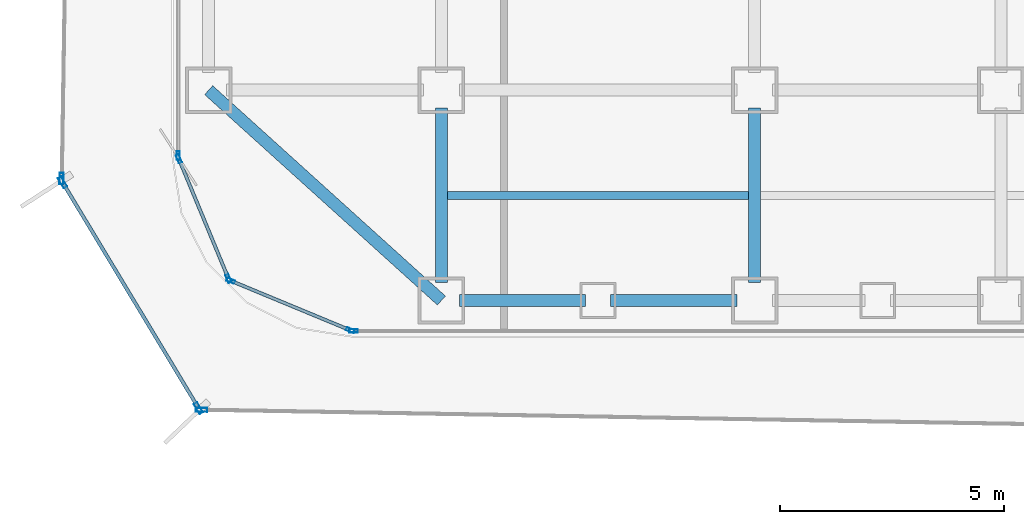
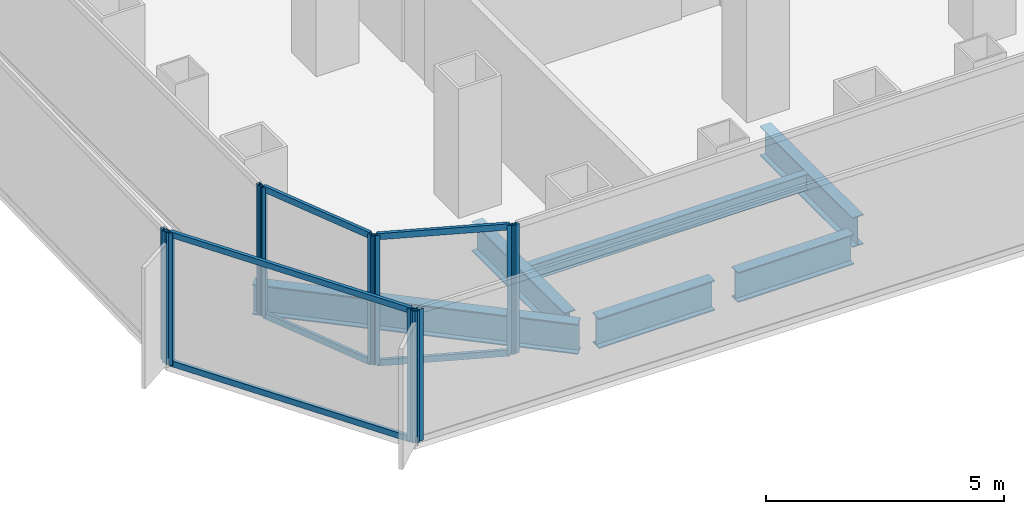
# One storey, part 2 of 21: 16 members, 6 beams, 7 elements without a shape of their own.
"""IFC4 building model written with IfcOpenShell, lengths in metres."""

from ifc_helpers import new_model, si_unit, direction, frame, origin, origin_2d, place, context, subcontext, project, spatial, hollow_rectangle, i_section, extrude, source, transform, mapped, material, layer, layer_set, material_profile, profile_set, type_object, element, aggregate, save


model = new_model("IFC4")

# Units and contexts
model_context = context("Model", 3, precision=1e-05, world=origin(), true_north=direction((0.0, 1.0)))
body_context = subcontext(model_context, "Body", "Model", "MODEL_VIEW")
ifc_project = project(units=[si_unit("LENGTHUNIT", "METRE"), si_unit("AREAUNIT", "SQUARE_METRE"), si_unit("VOLUMEUNIT", "CUBIC_METRE"), si_unit("PLANEANGLEUNIT", "RADIAN"), si_unit("MASSUNIT", "GRAM", prefix="KILO")], contexts=[model_context])

# Site, building, storey
site_placement = place(None, origin())
site = spatial("IfcSite", under=ifc_project, at=site_placement, CompositionType="ELEMENT")
building_placement = place(site_placement, origin())
building = spatial("IfcBuilding", under=site, at=building_placement, Name="Kolveth Station Tower", CompositionType="ELEMENT")
storey_placement = place(building_placement, frame((0.0, 0.0, 36.89990234375)))
storey = spatial("IfcBuildingStorey", under=building, at=storey_placement, Name="L09", CompositionType="ELEMENT", Elevation=36.89990234375)

# Beams
ifc_material_1 = material(Name="Steel S355", Category="steel")
ifc_material_profile_1 = material_profile(ifc_material_1, i_section(OverallWidth=0.26904296875, OverallDepth=0.77490234375, WebThickness=0.01708984375, FlangeThickness=0.0283203125, at=origin_2d()), Name="W760x220")
ifc_profile_set_1 = profile_set([ifc_material_profile_1], Name="Steel S355")
beam_type_1 = type_object("IfcBeamType", Name="Beam_SP1", PredefinedType="SPANDREL", material=ifc_profile_set_1)
shared_shape_1 = source(origin(), body_context, "Body", "SweptSolid", [
    extrude(i_section(OverallWidth=0.26904296875, OverallDepth=0.77490234375, WebThickness=0.01708984375, FlangeThickness=0.0283203125, at=origin_2d()), origin(), (0.0, 0.0, 1.0), 7.00927734375),
])
beam_1_placement = place(storey_placement, frame((0.800048828125, 5.5, -0.66748046875), z_axis=(0.741874009795, -0.670539300557, 0.0), x_axis=(0.670539300557, 0.741874009795, 0.0)))
element("IfcBeam", 1, at=beam_1_placement, inside=storey, type_object=beam_type_1, Name="L09 Corner Edge Girder BM-L09-CNR-SW", PredefinedType="SPANDREL", context=body_context, shape_type="MappedRepresentation", body=[
    mapped(shared_shape_1, transform((0.0, 0.0, 0.0), x_axis=(1.0, 0.0, 0.0), y_axis=(0.0, 1.0, 0.0), z_axis=(0.0, 0.0, 1.0), scale=1.0)),
])
shared_shape_2 = source(origin(), body_context, "Body", "SweptSolid", [
    extrude(i_section(OverallWidth=0.26904296875, OverallDepth=0.77490234375, WebThickness=0.01708984375, FlangeThickness=0.0283203125, at=origin_2d()), origin(), (0.0, 0.0, 1.0), 2.820068359375),
])
for number, where, z_axis, x_axis, name in (
    (2, (6.39990234375, 0.800048828125, -0.66748046875), (1.0, 0.0, 0.0), (0.0, 1.0, 0.0), "L09 Perimeter Spandrel BM-L09-PS-1"),
    (3, (9.780029296875, 0.800048828125, -0.66748046875), (1.0, 0.0, 0.0), (0.0, 1.0, 0.0), "L09 Perimeter Spandrel BM-L09-PS-2"),
):
    element("IfcBeam", number, at=place(storey_placement, frame(where, z_axis=z_axis, x_axis=x_axis)), inside=storey, type_object=beam_type_1, Name=name, PredefinedType="SPANDREL", context=body_context, shape_type="MappedRepresentation", body=[
        mapped(shared_shape_2, transform((0.0, 0.0, 0.0), x_axis=(1.0, 0.0, 0.0), y_axis=(0.0, 1.0, 0.0), z_axis=(0.0, 0.0, 1.0), scale=1.0)),
    ])
ifc_material_profile_2 = material_profile(ifc_material_1, i_section(OverallWidth=0.26708984375, OverallDepth=0.76611328125, WebThickness=0.014892578125, FlangeThickness=0.023681640625, at=origin_2d()), Name="W760x185")
ifc_profile_set_2 = profile_set([ifc_material_profile_2], Name="Steel S355")
beam_type_2 = type_object("IfcBeamType", Name="Beam_B3", PredefinedType="BEAM", material=ifc_profile_set_2)
shared_shape_3 = source(origin(), body_context, "Body", "SweptSolid", [
    extrude(i_section(OverallWidth=0.26708984375, OverallDepth=0.76611328125, WebThickness=0.014892578125, FlangeThickness=0.023681640625, at=origin_2d()), origin(), (0.0, 0.0, 1.0), 3.900146484375),
])
for number, where, z_axis, x_axis, name in (
    (4, (6.0, 1.199951171875, -0.662841796875), (0.0, 1.0, 0.0), (-1.0, 0.0, 0.0), "L09 Primary Girder BM-L09-GX60-1"),
    (5, (13.0, 1.199951171875, -0.662841796875), (0.0, 1.0, 0.0), (-1.0, 0.0, 0.0), "L09 Primary Girder BM-L09-GX130-1"),
):
    element("IfcBeam", number, at=place(storey_placement, frame(where, z_axis=z_axis, x_axis=x_axis)), inside=storey, type_object=beam_type_2, Name=name, PredefinedType="BEAM", context=body_context, shape_type="MappedRepresentation", body=[
        mapped(shared_shape_3, transform((0.0, 0.0, 0.0), x_axis=(1.0, 0.0, 0.0), y_axis=(0.0, 1.0, 0.0), z_axis=(0.0, 0.0, 1.0), scale=1.0)),
    ])
ifc_material_profile_3 = material_profile(ifc_material_1, i_section(OverallWidth=0.177978515625, OverallDepth=0.406982421875, WebThickness=0.0078125, FlangeThickness=0.0126953125, at=origin_2d()), Name="W410x60")
ifc_profile_set_3 = profile_set([ifc_material_profile_3], Name="Steel S355")
beam_type_3 = type_object("IfcBeamType", Name="Beam_J1", PredefinedType="JOIST", material=ifc_profile_set_3)
shared_shape_4 = source(origin(), body_context, "Body", "SweptSolid", [
    extrude(i_section(OverallWidth=0.177978515625, OverallDepth=0.406982421875, WebThickness=0.0078125, FlangeThickness=0.0126953125, at=origin_2d()), origin(), (0.0, 0.0, 1.0), 6.73681640625),
])
beam_2_placement = place(storey_placement, frame((6.131591796875, 3.14990234375, -0.4833984375), z_axis=(1.0, 0.0, 0.0), x_axis=(0.0, 1.0, 0.0)))
element("IfcBeam", 6, at=beam_2_placement, inside=storey, type_object=beam_type_3, Name="L09 Secondary Joist JST-L09-2-1", PredefinedType="JOIST", context=body_context, shape_type="MappedRepresentation", body=[
    mapped(shared_shape_4, transform((0.0, 0.0, 0.0), x_axis=(1.0, 0.0, 0.0), y_axis=(0.0, 1.0, 0.0), z_axis=(0.0, 0.0, 1.0), scale=1.0)),
])

# Curtain wall, member
ifc_material_2 = material(Name="Aluminium 6063-T6 and low-E dark glass", Category="aluminium")
ifc_layer_1 = layer(ifc_material_2, 0.179931640625)
ifc_layer_set_1 = layer_set([ifc_layer_1], Name="Aluminium 6063-T6 and low-E dark glass")
curtain_wall_type_1 = type_object("IfcCurtainWallType", Name="CurtainWall_CW-Z1", PredefinedType="NOTDEFINED", material=ifc_layer_set_1)
curtain_wall_1_placement = place(storey_placement, origin())
curtain_wall_1 = element("IfcCurtainWall", 7, at=curtain_wall_1_placement, inside=storey, type_object=curtain_wall_type_1, Name="L09 Inner Thermal Curtain Wall 9", PredefinedType="NOTDEFINED")
ifc_material_3 = material(Name="Black anodized aluminium 6063-T6", Category="aluminium")
ifc_material_profile_4 = material_profile(ifc_material_3, hollow_rectangle(XDim=0.074951171875, YDim=0.18994140625, WallThickness=0.0048828125, at=origin_2d()), Name="ALU-75x190x5")
ifc_profile_set_4 = profile_set([ifc_material_profile_4], Name="Black anodized aluminium 6063-T6")
member_type_1 = type_object("IfcMemberType", Name="Mullion_ML1", PredefinedType="MULLION", material=ifc_profile_set_4)
shared_shape_5 = source(origin(), body_context, "Body", "SweptSolid", [
    extrude(hollow_rectangle(XDim=0.074951171875, YDim=0.18994140625, WallThickness=0.0048828125, at=origin_2d()), origin(), (0.0, 0.0, 1.0), 3.320068359375),
])
member_1_placement = place(storey_placement, frame((0.1201171875, 4.03759765625, 0.0), z_axis=(0.0, 0.0, 1.0), x_axis=(1.0, 0.0, 0.0)))
member_1 = element("IfcMember", 8, at=member_1_placement, type_object=member_type_1, Name="CW-Z1 mullion 2", PredefinedType="MULLION", context=body_context, shape_type="MappedRepresentation", body=[
    mapped(shared_shape_5, transform((0.0, 0.0, 0.0), x_axis=(1.0, 0.0, 0.0), y_axis=(0.0, 1.0, 0.0), z_axis=(0.0, 0.0, 1.0), scale=1.0)),
])
aggregate(curtain_wall_1, [member_1])

# Curtain wall, members
curtain_wall_2_placement = place(storey_placement, origin())
curtain_wall_2 = element("IfcCurtainWall", 9, at=curtain_wall_2_placement, inside=storey, type_object=curtain_wall_type_1, Name="L09 Inner Thermal Curtain Wall 10", PredefinedType="NOTDEFINED")
member_2_placement = place(storey_placement, frame((0.13427734375, 3.96533203125, 0.0), z_axis=(0.0, 0.0, 1.0), x_axis=(0.923883857728, 0.382672990201, 0.0)))
member_2 = element("IfcMember", 10, at=member_2_placement, type_object=member_type_1, Name="CW-Z1 mullion 1", PredefinedType="MULLION", context=body_context, shape_type="MappedRepresentation", body=[
    mapped(shared_shape_5, transform((0.0, 0.0, 0.0), x_axis=(1.0, 0.0, 0.0), y_axis=(0.0, 1.0, 0.0), z_axis=(0.0, 0.0, 1.0), scale=1.0)),
])
member_3_placement = place(storey_placement, frame((1.241943359375, 1.291015625, 0.0), z_axis=(0.0, 0.0, 1.0), x_axis=(0.923883857728, 0.382672990201, 0.0)))
member_3 = element("IfcMember", 11, at=member_3_placement, type_object=member_type_1, Name="CW-Z1 mullion 2", PredefinedType="MULLION", context=body_context, shape_type="MappedRepresentation", body=[
    mapped(shared_shape_5, transform((0.0, 0.0, 0.0), x_axis=(1.0, 0.0, 0.0), y_axis=(0.0, 1.0, 0.0), z_axis=(0.0, 0.0, 1.0), scale=1.0)),
])

curtain_wall_3_placement = place(storey_placement, origin())
curtain_wall_3 = element("IfcCurtainWall", 12, at=curtain_wall_3_placement, inside=storey, type_object=curtain_wall_type_1, Name="L09 Inner Thermal Curtain Wall 11", PredefinedType="NOTDEFINED")
member_4_placement = place(storey_placement, frame((1.291015625, 1.241943359375, 0.0), z_axis=(0.0, 0.0, 1.0), x_axis=(0.382672990201, 0.923883857728, 0.0)))
member_4 = element("IfcMember", 13, at=member_4_placement, type_object=member_type_1, Name="CW-Z1 mullion 1", PredefinedType="MULLION", context=body_context, shape_type="MappedRepresentation", body=[
    mapped(shared_shape_5, transform((0.0, 0.0, 0.0), x_axis=(1.0, 0.0, 0.0), y_axis=(0.0, 1.0, 0.0), z_axis=(0.0, 0.0, 1.0), scale=1.0)),
])
member_5_placement = place(storey_placement, frame((3.96533203125, 0.13427734375, 0.0), z_axis=(0.0, 0.0, 1.0), x_axis=(0.382672990201, 0.923883857728, 0.0)))
member_5 = element("IfcMember", 14, at=member_5_placement, type_object=member_type_1, Name="CW-Z1 mullion 2", PredefinedType="MULLION", context=body_context, shape_type="MappedRepresentation", body=[
    mapped(shared_shape_5, transform((0.0, 0.0, 0.0), x_axis=(1.0, 0.0, 0.0), y_axis=(0.0, 1.0, 0.0), z_axis=(0.0, 0.0, 1.0), scale=1.0)),
])

# Curtain wall, member
curtain_wall_4_placement = place(storey_placement, origin())
curtain_wall_4 = element("IfcCurtainWall", 15, at=curtain_wall_4_placement, inside=storey, type_object=curtain_wall_type_1, Name="L09 Inner Thermal Curtain Wall 12", PredefinedType="NOTDEFINED")
member_6_placement = place(storey_placement, frame((4.03759765625, 0.1201171875, 0.0), z_axis=(0.0, 0.0, 1.0), x_axis=(0.0, 1.0, 0.0)))
member_6 = element("IfcMember", 16, at=member_6_placement, type_object=member_type_1, Name="CW-Z1 mullion 1", PredefinedType="MULLION", context=body_context, shape_type="MappedRepresentation", body=[
    mapped(shared_shape_5, transform((0.0, 0.0, 0.0), x_axis=(1.0, 0.0, 0.0), y_axis=(0.0, 1.0, 0.0), z_axis=(0.0, 0.0, 1.0), scale=1.0)),
])
aggregate(curtain_wall_4, [member_6])

# Member
ifc_material_profile_5 = material_profile(ifc_material_3, hollow_rectangle(XDim=0.074951171875, YDim=0.159912109375, WallThickness=0.0048828125, at=origin_2d()), Name="ALU-75x160x5")
ifc_profile_set_5 = profile_set([ifc_material_profile_5], Name="Black anodized aluminium 6063-T6")
member_type_2 = type_object("IfcMemberType", Name="Transom_TR1", PredefinedType="USERDEFINED", material=ifc_profile_set_5)
shared_shape_6 = source(origin(), body_context, "Body", "SweptSolid", [
    extrude(hollow_rectangle(XDim=0.074951171875, YDim=0.159912109375, WallThickness=0.0048828125, at=origin_2d()), origin(), (0.0, 0.0, 1.0), 2.819580078125),
])
member_7_placement = place(storey_placement, frame((0.148681640625, 3.9306640625, 0.03759765625), z_axis=(0.382708655389, -0.923869084389, 0.0), x_axis=(0.923869084389, 0.382708655389, 0.0)))
member_7 = element("IfcMember", 17, at=member_7_placement, type_object=member_type_2, Name="CW-Z1 transom 1.1", ObjectType="TRANSOM", PredefinedType="USERDEFINED", context=body_context, shape_type="MappedRepresentation", body=[
    mapped(shared_shape_6, transform((0.0, 0.0, 0.0), x_axis=(1.0, 0.0, 0.0), y_axis=(0.0, 1.0, 0.0), z_axis=(0.0, 0.0, 1.0), scale=1.0)),
])

member_8_placement = place(storey_placement, frame((0.148681640625, 3.9306640625, 3.28271484375), z_axis=(0.382708655389, -0.923869084389, 0.0), x_axis=(0.923869084389, 0.382708655389, 0.0)))
member_8 = element("IfcMember", 18, at=member_8_placement, type_object=member_type_2, Name="CW-Z1 transom 1.2", ObjectType="TRANSOM", PredefinedType="USERDEFINED", context=body_context, shape_type="MappedRepresentation", body=[
    mapped(shared_shape_6, transform((0.0, 0.0, 0.0), x_axis=(1.0, 0.0, 0.0), y_axis=(0.0, 1.0, 0.0), z_axis=(0.0, 0.0, 1.0), scale=1.0)),
])

aggregate(curtain_wall_2, [member_2, member_3, member_7, member_8])

member_9_placement = place(storey_placement, frame((1.32568359375, 1.227783203125, 0.03759765625), z_axis=(0.923869084389, -0.382708655389, 0.0), x_axis=(0.382708655389, 0.923869084389, 0.0)))
member_9 = element("IfcMember", 19, at=member_9_placement, type_object=member_type_2, Name="CW-Z1 transom 1.1", ObjectType="TRANSOM", PredefinedType="USERDEFINED", context=body_context, shape_type="MappedRepresentation", body=[
    mapped(shared_shape_6, transform((0.0, 0.0, 0.0), x_axis=(1.0, 0.0, 0.0), y_axis=(0.0, 1.0, 0.0), z_axis=(0.0, 0.0, 1.0), scale=1.0)),
])

member_10_placement = place(storey_placement, frame((1.32568359375, 1.227783203125, 3.28271484375), z_axis=(0.923869084389, -0.382708655389, 0.0), x_axis=(0.382708655389, 0.923869084389, 0.0)))
member_10 = element("IfcMember", 20, at=member_10_placement, type_object=member_type_2, Name="CW-Z1 transom 1.2", ObjectType="TRANSOM", PredefinedType="USERDEFINED", context=body_context, shape_type="MappedRepresentation", body=[
    mapped(shared_shape_6, transform((0.0, 0.0, 0.0), x_axis=(1.0, 0.0, 0.0), y_axis=(0.0, 1.0, 0.0), z_axis=(0.0, 0.0, 1.0), scale=1.0)),
])

aggregate(curtain_wall_3, [member_4, member_5, member_9, member_10])

# Curtain wall, member
ifc_material_4 = material(Name="Black anodized aluminium 6063-T6 and dark solar glass", Category="aluminium")
ifc_layer_2 = layer(ifc_material_4, 0.159912109375)
ifc_layer_set_2 = layer_set([ifc_layer_2], Name="Black anodized aluminium 6063-T6 and dark solar glass")
curtain_wall_type_2 = type_object("IfcCurtainWallType", Name="OUTER SKIN CW-OS", PredefinedType="NOTDEFINED", material=ifc_layer_set_2)
curtain_wall_5_placement = place(storey_placement, origin())
curtain_wall_5 = element("IfcCurtainWall", 21, at=curtain_wall_5_placement, inside=storey, type_object=curtain_wall_type_2, Name="L09 Outer Ventilated Skin Curtain Wall 6", PredefinedType="NOTDEFINED")
ifc_material_profile_6 = material_profile(ifc_material_3, hollow_rectangle(XDim=0.090087890625, YDim=0.260009765625, WallThickness=0.0048828125, at=origin_2d()), Name="ALU-90x260x5")
ifc_profile_set_6 = profile_set([ifc_material_profile_6], Name="Black anodized aluminium 6063-T6")
member_type_3 = type_object("IfcMemberType", Name="FIN MULLION ML-OS", PredefinedType="MULLION", material=ifc_profile_set_6)
shared_shape_7 = source(origin(), body_context, "Body", "SweptSolid", [
    extrude(hollow_rectangle(XDim=0.090087890625, YDim=0.260009765625, WallThickness=0.0048828125, at=origin_2d()), origin(), (0.0, 0.0, 1.0), 3.39013671875),
])
member_11_placement = place(storey_placement, frame((-2.487548828125, 3.523193359375, 0.0), z_axis=(0.0, 0.0, 1.0), x_axis=(0.999876851906, -0.015693343241, 0.0)))
member_11 = element("IfcMember", 22, at=member_11_placement, type_object=member_type_3, Name="CW-OS mullion 2", PredefinedType="MULLION", context=body_context, shape_type="MappedRepresentation", body=[
    mapped(shared_shape_7, transform((0.0, 0.0, 0.0), x_axis=(1.0, 0.0, 0.0), y_axis=(0.0, 1.0, 0.0), z_axis=(0.0, 0.0, 1.0), scale=1.0)),
])
aggregate(curtain_wall_5, [member_11])

# Curtain wall, members
curtain_wall_6_placement = place(storey_placement, origin())
curtain_wall_6 = element("IfcCurtainWall", 23, at=curtain_wall_6_placement, inside=storey, type_object=curtain_wall_type_2, Name="L09 Outer Ventilated Skin Curtain Wall 7", PredefinedType="NOTDEFINED")
member_12_placement = place(storey_placement, frame((-2.465087890625, 3.439697265625, 0.0), z_axis=(0.0, 0.0, 1.0), x_axis=(0.856641628182, 0.515911931308, 0.0)))
member_12 = element("IfcMember", 24, at=member_12_placement, type_object=member_type_3, Name="CW-OS mullion 1", PredefinedType="MULLION", context=body_context, shape_type="MappedRepresentation", body=[
    mapped(shared_shape_7, transform((0.0, 0.0, 0.0), x_axis=(1.0, 0.0, 0.0), y_axis=(0.0, 1.0, 0.0), z_axis=(0.0, 0.0, 1.0), scale=1.0)),
])
member_13_placement = place(storey_placement, frame((0.572998046875, -1.6044921875, 0.0), z_axis=(0.0, 0.0, 1.0), x_axis=(0.856641628182, 0.515911931308, 0.0)))
member_13 = element("IfcMember", 25, at=member_13_placement, type_object=member_type_3, Name="CW-OS mullion 2", PredefinedType="MULLION", context=body_context, shape_type="MappedRepresentation", body=[
    mapped(shared_shape_7, transform((0.0, 0.0, 0.0), x_axis=(1.0, 0.0, 0.0), y_axis=(0.0, 1.0, 0.0), z_axis=(0.0, 0.0, 1.0), scale=1.0)),
])

# Curtain wall, member
curtain_wall_7_placement = place(storey_placement, origin())
curtain_wall_7 = element("IfcCurtainWall", 26, at=curtain_wall_7_placement, inside=storey, type_object=curtain_wall_type_2, Name="L09 Outer Ventilated Skin Curtain Wall 8", PredefinedType="NOTDEFINED")
member_14_placement = place(storey_placement, frame((0.64111328125, -1.643798828125, 0.0), z_axis=(0.0, 0.0, 1.0), x_axis=(0.017382829529, 0.999848907204, 0.0)))
member_14 = element("IfcMember", 27, at=member_14_placement, type_object=member_type_3, Name="CW-OS mullion 1", PredefinedType="MULLION", context=body_context, shape_type="MappedRepresentation", body=[
    mapped(shared_shape_7, transform((0.0, 0.0, 0.0), x_axis=(1.0, 0.0, 0.0), y_axis=(0.0, 1.0, 0.0), z_axis=(0.0, 0.0, 1.0), scale=1.0)),
])
aggregate(curtain_wall_7, [member_14])

# Member
ifc_material_profile_7 = material_profile(ifc_material_3, hollow_rectangle(XDim=0.080078125, YDim=0.14990234375, WallThickness=0.0048828125, at=origin_2d()), Name="ALU-80x150x5")
ifc_profile_set_7 = profile_set([ifc_material_profile_7], Name="Black anodized aluminium 6063-T6")
member_type_4 = type_object("IfcMemberType", Name="Transom_TR-OS", PredefinedType="USERDEFINED", material=ifc_profile_set_7)
shared_shape_8 = source(origin(), body_context, "Body", "SweptSolid", [
    extrude(hollow_rectangle(XDim=0.080078125, YDim=0.14990234375, WallThickness=0.0048828125, at=origin_2d()), origin(), (0.0, 0.0, 1.0), 5.798095703125),
])
member_15_placement = place(storey_placement, frame((-2.441650390625, 3.401123046875, 0.0400390625), z_axis=(0.515888304664, -0.856655856871, 0.0), x_axis=(0.856655856871, 0.515888304664, 0.0)))
member_15 = element("IfcMember", 28, at=member_15_placement, type_object=member_type_4, Name="CW-OS transom 1.1", ObjectType="TRANSOM", PredefinedType="USERDEFINED", context=body_context, shape_type="MappedRepresentation", body=[
    mapped(shared_shape_8, transform((0.0, 0.0, 0.0), x_axis=(1.0, 0.0, 0.0), y_axis=(0.0, 1.0, 0.0), z_axis=(0.0, 0.0, 1.0), scale=1.0)),
])

member_16_placement = place(storey_placement, frame((-2.441650390625, 3.401123046875, 3.35009765625), z_axis=(0.515888304664, -0.856655856871, 0.0), x_axis=(0.856655856871, 0.515888304664, 0.0)))
member_16 = element("IfcMember", 29, at=member_16_placement, type_object=member_type_4, Name="CW-OS transom 1.2", ObjectType="TRANSOM", PredefinedType="USERDEFINED", context=body_context, shape_type="MappedRepresentation", body=[
    mapped(shared_shape_8, transform((0.0, 0.0, 0.0), x_axis=(1.0, 0.0, 0.0), y_axis=(0.0, 1.0, 0.0), z_axis=(0.0, 0.0, 1.0), scale=1.0)),
])

aggregate(curtain_wall_6, [member_12, member_13, member_15, member_16])

save(model, "model.ifc")
